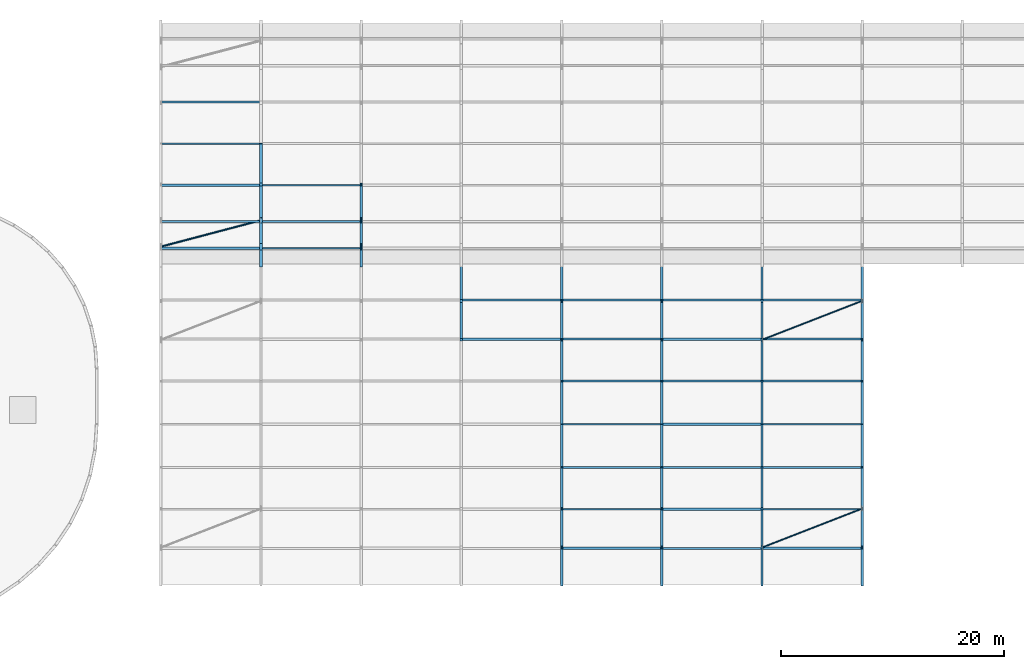
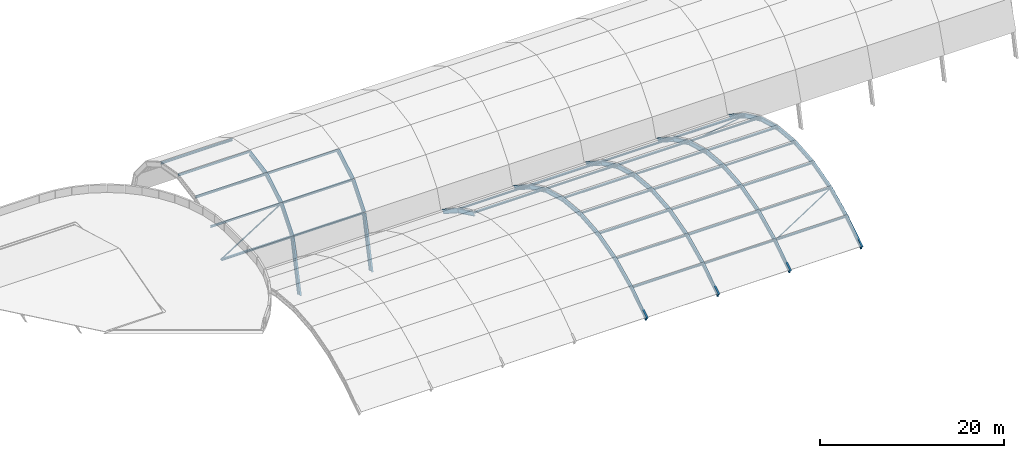
# One storey, part 4 of 15: 75 members.
"""IFC4 building model written with IfcOpenShell, lengths in metres."""

from ifc_helpers import new_model, si_unit, direction, frame, origin, origin_2d, place, context, subcontext, project, spatial, hollow_circle, i_section, extrude, material, material_profile, profile_set, type_object, element, save


model = new_model("IFC4")

# Units and contexts
model_context = context("Model", 3, precision=1e-05, world=origin(), true_north=direction((0.0, 1.0)))
body_context = subcontext(model_context, "Body", "Model", "MODEL_VIEW")
ifc_project = project(units=[si_unit("LENGTHUNIT", "METRE"), si_unit("AREAUNIT", "SQUARE_METRE"), si_unit("VOLUMEUNIT", "CUBIC_METRE"), si_unit("PLANEANGLEUNIT", "RADIAN"), si_unit("MASSUNIT", "GRAM", prefix="KILO")], contexts=[model_context])

# Site, building, storey
site_placement = place(None, origin())
site = spatial("IfcSite", under=ifc_project, at=site_placement, CompositionType="ELEMENT")
building_placement = place(site_placement, origin())
building = spatial("IfcBuilding", under=site, at=building_placement, Name="Cendralis Terraced Arcade", CompositionType="ELEMENT")
storey_placement = place(building_placement, frame((0.0, 0.0, 34.199951171875)))
storey = spatial("IfcBuildingStorey", under=building, at=storey_placement, Name="RF", CompositionType="ELEMENT", Elevation=34.199951171875)

# Members
ifc_material_1 = material(Name="Steel ASTM A992 Grade 50", Category="steel")
ifc_material_profile_1 = material_profile(ifc_material_1, i_section(OverallWidth=0.2099609375, OverallDepth=0.537109375, WebThickness=0.010986328125, FlangeThickness=0.017333984375, FilletRadius=0.012939453125, at=origin_2d()), Name="W530X101", Category="LoadBearing")
ifc_profile_set_1 = profile_set([ifc_material_profile_1], Name="Steel ASTM A992 Grade 50")
member_type_1 = type_object("IfcMemberType", Name="MEM-ARCH-W530", PredefinedType="RAFTER", material=ifc_profile_set_1)
member_1_placement = place(storey_placement, frame((94.199951171875, 31.584716796875, -10.673828125), z_axis=(0.0, 0.901136792694, -0.433534866941), x_axis=(-1.0, 0.0, 0.0)))
element("IfcMember", 1, at=member_1_placement, inside=storey, type_object=member_type_1, Name="Gourmet Food Hall Barrel Vault Arch Rib VA-FH-R04-S7", PredefinedType="RAFTER", context=body_context, shape_type="SweptSolid", body=[
    extrude(i_section(OverallWidth=0.2099609375, OverallDepth=0.537109375, WebThickness=0.010986328125, FlangeThickness=0.017333984375, FilletRadius=0.012939453125, at=origin_2d()), origin(), (0.0, 0.0, 1.0), 3.869873046875),
])
for number, where, z_axis, x_axis, name in (
    (2, (94.199951171875, 35.072021484375, -12.3515625), (0.0, 0.840133581177, -0.542379540339), (-1.0, 0.0, 0.0), "Gourmet Food Hall Barrel Vault Arch Rib VA-FH-R04-S8"),
    (3, (103.199951171875, 9.60009765625, -14.5), (0.0, 0.840133581177, 0.542379540339), (-1.0, 0.0, 0.0), "Gourmet Food Hall Barrel Vault Arch Rib VA-FH-R05-S1"),
):
    element("IfcMember", number, at=place(storey_placement, frame(where, z_axis=z_axis, x_axis=x_axis)), inside=storey, type_object=member_type_1, Name=name, PredefinedType="RAFTER", context=body_context, shape_type="SweptSolid", body=[
        extrude(i_section(OverallWidth=0.2099609375, OverallDepth=0.537109375, WebThickness=0.010986328125, FlangeThickness=0.017333984375, FilletRadius=0.012939453125, at=origin_2d()), origin(), (0.0, 0.0, 1.0), 3.961181640625),
    ])
member_2_placement = place(storey_placement, frame((103.199951171875, 12.927978515625, -12.3515625), z_axis=(0.0, 0.901136792694, 0.433534866941), x_axis=(-1.0, 0.0, 0.0)))
element("IfcMember", 4, at=member_2_placement, inside=storey, type_object=member_type_1, Name="Gourmet Food Hall Barrel Vault Arch Rib VA-FH-R05-S2", PredefinedType="RAFTER", context=body_context, shape_type="SweptSolid", body=[
    extrude(i_section(OverallWidth=0.2099609375, OverallDepth=0.537109375, WebThickness=0.010986328125, FlangeThickness=0.017333984375, FilletRadius=0.012939453125, at=origin_2d()), origin(), (0.0, 0.0, 1.0), 3.869873046875),
])
member_3_placement = place(storey_placement, frame((103.199951171875, 16.415283203125, -10.673828125), z_axis=(0.0, 0.964011577541, 0.265860260979), x_axis=(-1.0, 0.0, 0.0)))
element("IfcMember", 5, at=member_3_placement, inside=storey, type_object=member_type_1, Name="Gourmet Food Hall Barrel Vault Arch Rib VA-FH-R05-S3", PredefinedType="RAFTER", context=body_context, shape_type="SweptSolid", body=[
    extrude(i_section(OverallWidth=0.2099609375, OverallDepth=0.537109375, WebThickness=0.010986328125, FlangeThickness=0.017333984375, FilletRadius=0.012939453125, at=origin_2d()), origin(), (0.0, 0.0, 1.0), 3.86962890625),
])
for number, where, z_axis, x_axis, name in (
    (6, (103.199951171875, 20.145751953125, -9.64501953125), (0.0, 0.995979112338, 0.089585756605), (-1.0, 0.0, 0.0), "Gourmet Food Hall Barrel Vault Arch Rib VA-FH-R05-S4"),
    (7, (103.199951171875, 24.0, -9.29833984375), (0.0, 0.995979112338, -0.089585756605), (-1.0, 0.0, 0.0), "Gourmet Food Hall Barrel Vault Arch Rib VA-FH-R05-S5"),
):
    element("IfcMember", number, at=place(storey_placement, frame(where, z_axis=z_axis, x_axis=x_axis)), inside=storey, type_object=member_type_1, Name=name, PredefinedType="RAFTER", context=body_context, shape_type="SweptSolid", body=[
        extrude(i_section(OverallWidth=0.2099609375, OverallDepth=0.537109375, WebThickness=0.010986328125, FlangeThickness=0.017333984375, FilletRadius=0.012939453125, at=origin_2d()), origin(), (0.0, 0.0, 1.0), 3.869873046875),
    ])
member_4_placement = place(storey_placement, frame((103.199951171875, 27.854248046875, -9.64501953125), z_axis=(0.0, 0.964011577541, -0.265860260979), x_axis=(-1.0, 0.0, 0.0)))
element("IfcMember", 8, at=member_4_placement, inside=storey, type_object=member_type_1, Name="Gourmet Food Hall Barrel Vault Arch Rib VA-FH-R05-S6", PredefinedType="RAFTER", context=body_context, shape_type="SweptSolid", body=[
    extrude(i_section(OverallWidth=0.2099609375, OverallDepth=0.537109375, WebThickness=0.010986328125, FlangeThickness=0.017333984375, FilletRadius=0.012939453125, at=origin_2d()), origin(), (0.0, 0.0, 1.0), 3.86962890625),
])
member_5_placement = place(storey_placement, frame((103.199951171875, 31.584716796875, -10.673828125), z_axis=(0.0, 0.901136792694, -0.433534866941), x_axis=(-1.0, 0.0, 0.0)))
element("IfcMember", 9, at=member_5_placement, inside=storey, type_object=member_type_1, Name="Gourmet Food Hall Barrel Vault Arch Rib VA-FH-R05-S7", PredefinedType="RAFTER", context=body_context, shape_type="SweptSolid", body=[
    extrude(i_section(OverallWidth=0.2099609375, OverallDepth=0.537109375, WebThickness=0.010986328125, FlangeThickness=0.017333984375, FilletRadius=0.012939453125, at=origin_2d()), origin(), (0.0, 0.0, 1.0), 3.869873046875),
])
for number, where, z_axis, x_axis, name in (
    (10, (103.199951171875, 35.072021484375, -12.3515625), (0.0, 0.840133581177, -0.542379540339), (-1.0, 0.0, 0.0), "Gourmet Food Hall Barrel Vault Arch Rib VA-FH-R05-S8"),
    (11, (112.199951171875, 9.60009765625, -14.5), (0.0, 0.840133581177, 0.542379540339), (-1.0, 0.0, 0.0), "Gourmet Food Hall Barrel Vault Arch Rib VA-FH-R06-S1"),
):
    element("IfcMember", number, at=place(storey_placement, frame(where, z_axis=z_axis, x_axis=x_axis)), inside=storey, type_object=member_type_1, Name=name, PredefinedType="RAFTER", context=body_context, shape_type="SweptSolid", body=[
        extrude(i_section(OverallWidth=0.2099609375, OverallDepth=0.537109375, WebThickness=0.010986328125, FlangeThickness=0.017333984375, FilletRadius=0.012939453125, at=origin_2d()), origin(), (0.0, 0.0, 1.0), 3.961181640625),
    ])
member_6_placement = place(storey_placement, frame((112.199951171875, 12.927978515625, -12.3515625), z_axis=(0.0, 0.901136792694, 0.433534866941), x_axis=(-1.0, 0.0, 0.0)))
element("IfcMember", 12, at=member_6_placement, inside=storey, type_object=member_type_1, Name="Gourmet Food Hall Barrel Vault Arch Rib VA-FH-R06-S2", PredefinedType="RAFTER", context=body_context, shape_type="SweptSolid", body=[
    extrude(i_section(OverallWidth=0.2099609375, OverallDepth=0.537109375, WebThickness=0.010986328125, FlangeThickness=0.017333984375, FilletRadius=0.012939453125, at=origin_2d()), origin(), (0.0, 0.0, 1.0), 3.869873046875),
])
member_7_placement = place(storey_placement, frame((112.199951171875, 16.415283203125, -10.673828125), z_axis=(0.0, 0.964011577541, 0.265860260979), x_axis=(-1.0, 0.0, 0.0)))
element("IfcMember", 13, at=member_7_placement, inside=storey, type_object=member_type_1, Name="Gourmet Food Hall Barrel Vault Arch Rib VA-FH-R06-S3", PredefinedType="RAFTER", context=body_context, shape_type="SweptSolid", body=[
    extrude(i_section(OverallWidth=0.2099609375, OverallDepth=0.537109375, WebThickness=0.010986328125, FlangeThickness=0.017333984375, FilletRadius=0.012939453125, at=origin_2d()), origin(), (0.0, 0.0, 1.0), 3.86962890625),
])
for number, where, z_axis, x_axis, name in (
    (14, (112.199951171875, 20.145751953125, -9.64501953125), (0.0, 0.995979112338, 0.089585756605), (-1.0, 0.0, 0.0), "Gourmet Food Hall Barrel Vault Arch Rib VA-FH-R06-S4"),
    (15, (112.199951171875, 24.0, -9.29833984375), (0.0, 0.995979112338, -0.089585756605), (-1.0, 0.0, 0.0), "Gourmet Food Hall Barrel Vault Arch Rib VA-FH-R06-S5"),
):
    element("IfcMember", number, at=place(storey_placement, frame(where, z_axis=z_axis, x_axis=x_axis)), inside=storey, type_object=member_type_1, Name=name, PredefinedType="RAFTER", context=body_context, shape_type="SweptSolid", body=[
        extrude(i_section(OverallWidth=0.2099609375, OverallDepth=0.537109375, WebThickness=0.010986328125, FlangeThickness=0.017333984375, FilletRadius=0.012939453125, at=origin_2d()), origin(), (0.0, 0.0, 1.0), 3.869873046875),
    ])
member_8_placement = place(storey_placement, frame((112.199951171875, 27.854248046875, -9.64501953125), z_axis=(0.0, 0.964011577541, -0.265860260979), x_axis=(-1.0, 0.0, 0.0)))
element("IfcMember", 16, at=member_8_placement, inside=storey, type_object=member_type_1, Name="Gourmet Food Hall Barrel Vault Arch Rib VA-FH-R06-S6", PredefinedType="RAFTER", context=body_context, shape_type="SweptSolid", body=[
    extrude(i_section(OverallWidth=0.2099609375, OverallDepth=0.537109375, WebThickness=0.010986328125, FlangeThickness=0.017333984375, FilletRadius=0.012939453125, at=origin_2d()), origin(), (0.0, 0.0, 1.0), 3.86962890625),
])
member_9_placement = place(storey_placement, frame((112.199951171875, 31.584716796875, -10.673828125), z_axis=(0.0, 0.901136792694, -0.433534866941), x_axis=(-1.0, 0.0, 0.0)))
element("IfcMember", 17, at=member_9_placement, inside=storey, type_object=member_type_1, Name="Gourmet Food Hall Barrel Vault Arch Rib VA-FH-R06-S7", PredefinedType="RAFTER", context=body_context, shape_type="SweptSolid", body=[
    extrude(i_section(OverallWidth=0.2099609375, OverallDepth=0.537109375, WebThickness=0.010986328125, FlangeThickness=0.017333984375, FilletRadius=0.012939453125, at=origin_2d()), origin(), (0.0, 0.0, 1.0), 3.869873046875),
])
for number, where, z_axis, x_axis, name in (
    (18, (112.199951171875, 35.072021484375, -12.3515625), (0.0, 0.840133581177, -0.542379540339), (-1.0, 0.0, 0.0), "Gourmet Food Hall Barrel Vault Arch Rib VA-FH-R06-S8"),
    (19, (121.199951171875, 9.60009765625, -14.5), (0.0, 0.840133581177, 0.542379540339), (-1.0, 0.0, 0.0), "Gourmet Food Hall Barrel Vault Arch Rib VA-FH-R07-S1"),
):
    element("IfcMember", number, at=place(storey_placement, frame(where, z_axis=z_axis, x_axis=x_axis)), inside=storey, type_object=member_type_1, Name=name, PredefinedType="RAFTER", context=body_context, shape_type="SweptSolid", body=[
        extrude(i_section(OverallWidth=0.2099609375, OverallDepth=0.537109375, WebThickness=0.010986328125, FlangeThickness=0.017333984375, FilletRadius=0.012939453125, at=origin_2d()), origin(), (0.0, 0.0, 1.0), 3.961181640625),
    ])
member_10_placement = place(storey_placement, frame((121.199951171875, 12.927978515625, -12.3515625), z_axis=(0.0, 0.901136792694, 0.433534866941), x_axis=(-1.0, 0.0, 0.0)))
element("IfcMember", 20, at=member_10_placement, inside=storey, type_object=member_type_1, Name="Gourmet Food Hall Barrel Vault Arch Rib VA-FH-R07-S2", PredefinedType="RAFTER", context=body_context, shape_type="SweptSolid", body=[
    extrude(i_section(OverallWidth=0.2099609375, OverallDepth=0.537109375, WebThickness=0.010986328125, FlangeThickness=0.017333984375, FilletRadius=0.012939453125, at=origin_2d()), origin(), (0.0, 0.0, 1.0), 3.869873046875),
])
member_11_placement = place(storey_placement, frame((121.199951171875, 16.415283203125, -10.673828125), z_axis=(0.0, 0.964011577541, 0.265860260979), x_axis=(-1.0, 0.0, 0.0)))
element("IfcMember", 21, at=member_11_placement, inside=storey, type_object=member_type_1, Name="Gourmet Food Hall Barrel Vault Arch Rib VA-FH-R07-S3", PredefinedType="RAFTER", context=body_context, shape_type="SweptSolid", body=[
    extrude(i_section(OverallWidth=0.2099609375, OverallDepth=0.537109375, WebThickness=0.010986328125, FlangeThickness=0.017333984375, FilletRadius=0.012939453125, at=origin_2d()), origin(), (0.0, 0.0, 1.0), 3.86962890625),
])
for number, where, z_axis, x_axis, name in (
    (22, (121.199951171875, 20.145751953125, -9.64501953125), (0.0, 0.995979112338, 0.089585756605), (-1.0, 0.0, 0.0), "Gourmet Food Hall Barrel Vault Arch Rib VA-FH-R07-S4"),
    (23, (121.199951171875, 24.0, -9.29833984375), (0.0, 0.995979112338, -0.089585756605), (-1.0, 0.0, 0.0), "Gourmet Food Hall Barrel Vault Arch Rib VA-FH-R07-S5"),
):
    element("IfcMember", number, at=place(storey_placement, frame(where, z_axis=z_axis, x_axis=x_axis)), inside=storey, type_object=member_type_1, Name=name, PredefinedType="RAFTER", context=body_context, shape_type="SweptSolid", body=[
        extrude(i_section(OverallWidth=0.2099609375, OverallDepth=0.537109375, WebThickness=0.010986328125, FlangeThickness=0.017333984375, FilletRadius=0.012939453125, at=origin_2d()), origin(), (0.0, 0.0, 1.0), 3.869873046875),
    ])
member_12_placement = place(storey_placement, frame((121.199951171875, 27.854248046875, -9.64501953125), z_axis=(0.0, 0.964011577541, -0.265860260979), x_axis=(-1.0, 0.0, 0.0)))
element("IfcMember", 24, at=member_12_placement, inside=storey, type_object=member_type_1, Name="Gourmet Food Hall Barrel Vault Arch Rib VA-FH-R07-S6", PredefinedType="RAFTER", context=body_context, shape_type="SweptSolid", body=[
    extrude(i_section(OverallWidth=0.2099609375, OverallDepth=0.537109375, WebThickness=0.010986328125, FlangeThickness=0.017333984375, FilletRadius=0.012939453125, at=origin_2d()), origin(), (0.0, 0.0, 1.0), 3.86962890625),
])
member_13_placement = place(storey_placement, frame((121.199951171875, 31.584716796875, -10.673828125), z_axis=(0.0, 0.901136792694, -0.433534866941), x_axis=(-1.0, 0.0, 0.0)))
element("IfcMember", 25, at=member_13_placement, inside=storey, type_object=member_type_1, Name="Gourmet Food Hall Barrel Vault Arch Rib VA-FH-R07-S7", PredefinedType="RAFTER", context=body_context, shape_type="SweptSolid", body=[
    extrude(i_section(OverallWidth=0.2099609375, OverallDepth=0.537109375, WebThickness=0.010986328125, FlangeThickness=0.017333984375, FilletRadius=0.012939453125, at=origin_2d()), origin(), (0.0, 0.0, 1.0), 3.869873046875),
])
for number, where, z_axis, x_axis, name in (
    (26, (121.199951171875, 35.072021484375, -12.3515625), (0.0, 0.840133581177, -0.542379540339), (-1.0, 0.0, 0.0), "Gourmet Food Hall Barrel Vault Arch Rib VA-FH-R07-S8"),
    (27, (130.199951171875, 9.60009765625, -14.5), (0.0, 0.840133581177, 0.542379540339), (-1.0, 0.0, 0.0), "Gourmet Food Hall Barrel Vault Arch Rib VA-FH-R08-S1"),
):
    element("IfcMember", number, at=place(storey_placement, frame(where, z_axis=z_axis, x_axis=x_axis)), inside=storey, type_object=member_type_1, Name=name, PredefinedType="RAFTER", context=body_context, shape_type="SweptSolid", body=[
        extrude(i_section(OverallWidth=0.2099609375, OverallDepth=0.537109375, WebThickness=0.010986328125, FlangeThickness=0.017333984375, FilletRadius=0.012939453125, at=origin_2d()), origin(), (0.0, 0.0, 1.0), 3.961181640625),
    ])
member_14_placement = place(storey_placement, frame((130.199951171875, 12.927978515625, -12.3515625), z_axis=(0.0, 0.901136792694, 0.433534866941), x_axis=(-1.0, 0.0, 0.0)))
element("IfcMember", 28, at=member_14_placement, inside=storey, type_object=member_type_1, Name="Gourmet Food Hall Barrel Vault Arch Rib VA-FH-R08-S2", PredefinedType="RAFTER", context=body_context, shape_type="SweptSolid", body=[
    extrude(i_section(OverallWidth=0.2099609375, OverallDepth=0.537109375, WebThickness=0.010986328125, FlangeThickness=0.017333984375, FilletRadius=0.012939453125, at=origin_2d()), origin(), (0.0, 0.0, 1.0), 3.869873046875),
])
member_15_placement = place(storey_placement, frame((130.199951171875, 16.415283203125, -10.673828125), z_axis=(0.0, 0.964011577541, 0.265860260979), x_axis=(-1.0, 0.0, 0.0)))
element("IfcMember", 29, at=member_15_placement, inside=storey, type_object=member_type_1, Name="Gourmet Food Hall Barrel Vault Arch Rib VA-FH-R08-S3", PredefinedType="RAFTER", context=body_context, shape_type="SweptSolid", body=[
    extrude(i_section(OverallWidth=0.2099609375, OverallDepth=0.537109375, WebThickness=0.010986328125, FlangeThickness=0.017333984375, FilletRadius=0.012939453125, at=origin_2d()), origin(), (0.0, 0.0, 1.0), 3.86962890625),
])
for number, where, z_axis, x_axis, name in (
    (30, (130.199951171875, 20.145751953125, -9.64501953125), (0.0, 0.995979112338, 0.089585756605), (-1.0, 0.0, 0.0), "Gourmet Food Hall Barrel Vault Arch Rib VA-FH-R08-S4"),
    (31, (130.199951171875, 24.0, -9.29833984375), (0.0, 0.995979112338, -0.089585756605), (-1.0, 0.0, 0.0), "Gourmet Food Hall Barrel Vault Arch Rib VA-FH-R08-S5"),
):
    element("IfcMember", number, at=place(storey_placement, frame(where, z_axis=z_axis, x_axis=x_axis)), inside=storey, type_object=member_type_1, Name=name, PredefinedType="RAFTER", context=body_context, shape_type="SweptSolid", body=[
        extrude(i_section(OverallWidth=0.2099609375, OverallDepth=0.537109375, WebThickness=0.010986328125, FlangeThickness=0.017333984375, FilletRadius=0.012939453125, at=origin_2d()), origin(), (0.0, 0.0, 1.0), 3.869873046875),
    ])
member_16_placement = place(storey_placement, frame((130.199951171875, 27.854248046875, -9.64501953125), z_axis=(0.0, 0.964011577541, -0.265860260979), x_axis=(-1.0, 0.0, 0.0)))
element("IfcMember", 32, at=member_16_placement, inside=storey, type_object=member_type_1, Name="Gourmet Food Hall Barrel Vault Arch Rib VA-FH-R08-S6", PredefinedType="RAFTER", context=body_context, shape_type="SweptSolid", body=[
    extrude(i_section(OverallWidth=0.2099609375, OverallDepth=0.537109375, WebThickness=0.010986328125, FlangeThickness=0.017333984375, FilletRadius=0.012939453125, at=origin_2d()), origin(), (0.0, 0.0, 1.0), 3.86962890625),
])
member_17_placement = place(storey_placement, frame((130.199951171875, 31.584716796875, -10.673828125), z_axis=(0.0, 0.901136792694, -0.433534866941), x_axis=(-1.0, 0.0, 0.0)))
element("IfcMember", 33, at=member_17_placement, inside=storey, type_object=member_type_1, Name="Gourmet Food Hall Barrel Vault Arch Rib VA-FH-R08-S7", PredefinedType="RAFTER", context=body_context, shape_type="SweptSolid", body=[
    extrude(i_section(OverallWidth=0.2099609375, OverallDepth=0.537109375, WebThickness=0.010986328125, FlangeThickness=0.017333984375, FilletRadius=0.012939453125, at=origin_2d()), origin(), (0.0, 0.0, 1.0), 3.869873046875),
])
member_18_placement = place(storey_placement, frame((130.199951171875, 35.072021484375, -12.3515625), z_axis=(0.0, 0.840133581177, -0.542379540339), x_axis=(-1.0, 0.0, 0.0)))
element("IfcMember", 34, at=member_18_placement, inside=storey, type_object=member_type_1, Name="Gourmet Food Hall Barrel Vault Arch Rib VA-FH-R08-S8", PredefinedType="RAFTER", context=body_context, shape_type="SweptSolid", body=[
    extrude(i_section(OverallWidth=0.2099609375, OverallDepth=0.537109375, WebThickness=0.010986328125, FlangeThickness=0.017333984375, FilletRadius=0.012939453125, at=origin_2d()), origin(), (0.0, 0.0, 1.0), 3.961181640625),
])
ifc_material_profile_2 = material_profile(ifc_material_1, i_section(OverallWidth=0.22900390625, OverallDepth=0.612060546875, WebThickness=0.011962890625, FlangeThickness=0.01953125, FilletRadius=0.012939453125, at=origin_2d()), Name="W610X125", Category="LoadBearing")
ifc_profile_set_2 = profile_set([ifc_material_profile_2], Name="Steel ASTM A992 Grade 50")
member_type_2 = type_object("IfcMemberType", Name="MEM-ARCH-W610", PredefinedType="RAFTER", material=ifc_profile_set_2)
member_19_placement = place(storey_placement, frame((76.199951171875, 38.39990234375, -19.300048828125), z_axis=(0.0, 0.217739450322, 0.976006932236), x_axis=(-1.0, 0.0, 0.0)))
element("IfcMember", 35, at=member_19_placement, inside=storey, type_object=member_type_2, Name="Shopping Arcade Barrel Vault Arch Rib VA-ARC-R02-S1", PredefinedType="RAFTER", context=body_context, shape_type="SweptSolid", body=[
    extrude(i_section(OverallWidth=0.22900390625, OverallDepth=0.612060546875, WebThickness=0.011962890625, FlangeThickness=0.01953125, FilletRadius=0.012939453125, at=origin_2d()), origin(), (0.0, 0.0, 1.0), 7.093017578125),
])
member_20_placement = place(storey_placement, frame((76.199951171875, 39.9443359375, -12.377197265625), z_axis=(0.0, 0.632692786232, 0.774402891427), x_axis=(-1.0, 0.0, 0.0)))
element("IfcMember", 36, at=member_20_placement, inside=storey, type_object=member_type_2, Name="Shopping Arcade Barrel Vault Arch Rib VA-ARC-R02-S2", PredefinedType="RAFTER", context=body_context, shape_type="SweptSolid", body=[
    extrude(i_section(OverallWidth=0.22900390625, OverallDepth=0.612060546875, WebThickness=0.011962890625, FlangeThickness=0.01953125, FilletRadius=0.012939453125, at=origin_2d()), origin(), (0.0, 0.0, 1.0), 3.7333984375),
])
member_21_placement = place(storey_placement, frame((76.199951171875, 42.306396484375, -9.486083984375), z_axis=(0.0, 0.862040098356, 0.506840082103), x_axis=(-1.0, 0.0, 0.0)))
element("IfcMember", 37, at=member_21_placement, inside=storey, type_object=member_type_2, Name="Shopping Arcade Barrel Vault Arch Rib VA-ARC-R02-S3", PredefinedType="RAFTER", context=body_context, shape_type="SweptSolid", body=[
    extrude(i_section(OverallWidth=0.22900390625, OverallDepth=0.612060546875, WebThickness=0.011962890625, FlangeThickness=0.01953125, FilletRadius=0.012939453125, at=origin_2d()), origin(), (0.0, 0.0, 1.0), 3.733642578125),
])
member_22_placement = place(storey_placement, frame((76.199951171875, 45.52490234375, -7.59375), z_axis=(0.0, 0.984360008375, 0.176168595135), x_axis=(-1.0, 0.0, 0.0)))
element("IfcMember", 38, at=member_22_placement, inside=storey, type_object=member_type_2, Name="Shopping Arcade Barrel Vault Arch Rib VA-ARC-R02-S4", PredefinedType="RAFTER", context=body_context, shape_type="SweptSolid", body=[
    extrude(i_section(OverallWidth=0.22900390625, OverallDepth=0.612060546875, WebThickness=0.011962890625, FlangeThickness=0.01953125, FilletRadius=0.012939453125, at=origin_2d()), origin(), (0.0, 0.0, 1.0), 3.7333984375),
])
member_23_placement = place(storey_placement, frame((85.199951171875, 38.39990234375, -19.300048828125), z_axis=(0.0, 0.217739450322, 0.976006932236), x_axis=(-1.0, 0.0, 0.0)))
element("IfcMember", 39, at=member_23_placement, inside=storey, type_object=member_type_2, Name="Shopping Arcade Barrel Vault Arch Rib VA-ARC-R03-S1", PredefinedType="RAFTER", context=body_context, shape_type="SweptSolid", body=[
    extrude(i_section(OverallWidth=0.22900390625, OverallDepth=0.612060546875, WebThickness=0.011962890625, FlangeThickness=0.01953125, FilletRadius=0.012939453125, at=origin_2d()), origin(), (0.0, 0.0, 1.0), 7.093017578125),
])
member_24_placement = place(storey_placement, frame((85.199951171875, 39.9443359375, -12.377197265625), z_axis=(0.0, 0.632692786232, 0.774402891427), x_axis=(-1.0, 0.0, 0.0)))
element("IfcMember", 40, at=member_24_placement, inside=storey, type_object=member_type_2, Name="Shopping Arcade Barrel Vault Arch Rib VA-ARC-R03-S2", PredefinedType="RAFTER", context=body_context, shape_type="SweptSolid", body=[
    extrude(i_section(OverallWidth=0.22900390625, OverallDepth=0.612060546875, WebThickness=0.011962890625, FlangeThickness=0.01953125, FilletRadius=0.012939453125, at=origin_2d()), origin(), (0.0, 0.0, 1.0), 3.7333984375),
])
member_25_placement = place(storey_placement, frame((85.199951171875, 42.306396484375, -9.486083984375), z_axis=(0.0, 0.862040098356, 0.506840082103), x_axis=(-1.0, 0.0, 0.0)))
element("IfcMember", 41, at=member_25_placement, inside=storey, type_object=member_type_2, Name="Shopping Arcade Barrel Vault Arch Rib VA-ARC-R03-S3", PredefinedType="RAFTER", context=body_context, shape_type="SweptSolid", body=[
    extrude(i_section(OverallWidth=0.22900390625, OverallDepth=0.612060546875, WebThickness=0.011962890625, FlangeThickness=0.01953125, FilletRadius=0.012939453125, at=origin_2d()), origin(), (0.0, 0.0, 1.0), 3.733642578125),
])
ifc_material_2 = material(Name="Steel ASTM A572 Grade 50", Category="steel")
ifc_material_profile_3 = material_profile(ifc_material_2, hollow_circle(Radius=0.06982421875, WallThickness=0.00634765625, at=origin_2d()), Name="CHS139X6.3", Category="LoadBearing")
ifc_profile_set_3 = profile_set([ifc_material_profile_3], Name="Steel ASTM A572 Grade 50")
member_type_3 = type_object("IfcMemberType", Name="MEM-BRC-CHS139", PredefinedType="BRACE", material=ifc_profile_set_3)
for number, where, z_axis, x_axis, name in (
    (42, (121.215087890625, 12.927978515625, -12.3515625), (0.918192754389, 0.356970831052, 0.171737857112), (-0.362354445443, 0.932040372445, 0.0), "Gourmet Food Hall Barrel Vault Wind Brace B07-K2"),
    (43, (121.215087890625, 31.584716796875, -10.673828125), (0.918192754389, 0.356970831052, -0.171737857112), (-0.362354445443, 0.932040372445, 0.0), "Gourmet Food Hall Barrel Vault Wind Brace B07-K7"),
):
    element("IfcMember", number, at=place(storey_placement, frame(where, z_axis=z_axis, x_axis=x_axis)), inside=storey, type_object=member_type_3, Name=name, PredefinedType="BRACE", context=body_context, shape_type="SweptSolid", body=[
        extrude(hollow_circle(Radius=0.06982421875, WallThickness=0.00634765625, at=origin_2d()), origin(), (0.0, 0.0, 1.0), 9.76904296875),
    ])
ifc_material_profile_4 = material_profile(ifc_material_2, hollow_circle(Radius=0.083984375, WallThickness=0.008056640625, at=origin_2d()), Name="CHS168X8", Category="LoadBearing")
ifc_profile_set_4 = profile_set([ifc_material_profile_4], Name="Steel ASTM A572 Grade 50")
member_type_4 = type_object("IfcMemberType", Name="MEM-BRC-CHS168", PredefinedType="BRACE", material=ifc_profile_set_4)
member_26_placement = place(storey_placement, frame((67.215087890625, 39.9443359375, -12.377197265625), z_axis=(0.923228228541, 0.243113500208, 0.297565898652), x_axis=(-0.254648762963, 0.967033612405, 0.0)))
element("IfcMember", 44, at=member_26_placement, inside=storey, type_object=member_type_4, Name="Shopping Arcade Barrel Vault Wind Brace B01-K2", PredefinedType="BRACE", context=body_context, shape_type="SweptSolid", body=[
    extrude(hollow_circle(Radius=0.083984375, WallThickness=0.008056640625, at=origin_2d()), origin(), (0.0, 0.0, 1.0), 9.7158203125),
])
ifc_material_profile_5 = material_profile(ifc_material_1, i_section(OverallWidth=0.202880859375, OverallDepth=0.202880859375, WebThickness=0.007080078125, FlangeThickness=0.010986328125, at=origin_2d()), Name="W200X46.1", Category="LoadBearing")
ifc_profile_set_5 = profile_set([ifc_material_profile_5], Name="Steel ASTM A992 Grade 50")
member_type_5 = type_object("IfcMemberType", Name="MEM-PUR-HSS150", PredefinedType="PURLIN", material=ifc_profile_set_5)
for number, where, z_axis, x_axis, name in (
    (45, (94.2119140625, 31.63818359375, -10.531494140625), (1.0, 0.0, 0.0), (0.0, 1.0, 0.0), "Gourmet Food Hall Barrel Vault Purlin B04-K6"),
    (46, (103.2119140625, 12.85009765625, -12.22119140625), (1.0, 0.0, 0.0), (0.0, 1.0, 0.0), "Gourmet Food Hall Barrel Vault Purlin B05-K1"),
    (47, (103.2119140625, 20.11865234375, -9.495361328125), (1.0, 0.0, 0.0), (0.0, 1.0, 0.0), "Gourmet Food Hall Barrel Vault Purlin B05-K3"),
    (48, (103.2119140625, 27.88134765625, -9.495361328125), (1.0, 0.0, 0.0), (0.0, 1.0, 0.0), "Gourmet Food Hall Barrel Vault Purlin B05-K5"),
    (49, (103.2119140625, 35.14990234375, -12.22119140625), (1.0, 0.0, 0.0), (0.0, 1.0, 0.0), "Gourmet Food Hall Barrel Vault Purlin B05-K7"),
    (50, (112.2119140625, 16.36181640625, -10.531494140625), (1.0, 0.0, 0.0), (0.0, 1.0, 0.0), "Gourmet Food Hall Barrel Vault Purlin B06-K2"),
    (51, (112.2119140625, 24.0, -9.146484375), (1.0, 0.0, 0.0), (0.0, 1.0, 0.0), "Gourmet Food Hall Barrel Vault Purlin B06-K4"),
    (52, (112.2119140625, 31.63818359375, -10.531494140625), (1.0, 0.0, 0.0), (0.0, 1.0, 0.0), "Gourmet Food Hall Barrel Vault Purlin B06-K6"),
    (53, (121.2119140625, 12.85009765625, -12.22119140625), (1.0, 0.0, 0.0), (0.0, 1.0, 0.0), "Gourmet Food Hall Barrel Vault Purlin B07-K1"),
    (54, (121.2119140625, 20.11865234375, -9.495361328125), (1.0, 0.0, 0.0), (0.0, 1.0, 0.0), "Gourmet Food Hall Barrel Vault Purlin B07-K3"),
    (55, (121.2119140625, 27.88134765625, -9.495361328125), (1.0, 0.0, 0.0), (0.0, 1.0, 0.0), "Gourmet Food Hall Barrel Vault Purlin B07-K5"),
    (56, (121.2119140625, 35.14990234375, -12.22119140625), (1.0, 0.0, 0.0), (0.0, 1.0, 0.0), "Gourmet Food Hall Barrel Vault Purlin B07-K7"),
):
    element("IfcMember", number, at=place(storey_placement, frame(where, z_axis=z_axis, x_axis=x_axis)), inside=storey, type_object=member_type_5, Name=name, PredefinedType="PURLIN", context=body_context, shape_type="SweptSolid", body=[
        extrude(i_section(OverallWidth=0.202880859375, OverallDepth=0.202880859375, WebThickness=0.007080078125, FlangeThickness=0.010986328125, at=origin_2d()), origin(), (0.0, 0.0, 1.0), 8.97607421875),
    ])
ifc_material_profile_6 = material_profile(ifc_material_1, i_section(OverallWidth=0.202880859375, OverallDepth=0.251953125, WebThickness=0.008056640625, FlangeThickness=0.013427734375, at=origin_2d()), Name="W250X58", Category="LoadBearing")
ifc_profile_set_6 = profile_set([ifc_material_profile_6], Name="Steel ASTM A992 Grade 50")
member_type_6 = type_object("IfcMemberType", Name="MEM-PUR-HSS180", PredefinedType="PURLIN", material=ifc_profile_set_6)
for number, where, z_axis, x_axis, name in (
    (57, (67.2119140625, 39.800048828125, -12.297119140625), (1.0, 0.0, 0.0), (0.0, 1.0, 0.0), "Shopping Arcade Barrel Vault Purlin B01-K1"),
    (58, (67.2119140625, 45.4677734375, -7.439208984375), (1.0, 0.0, 0.0), (0.0, 1.0, 0.0), "Shopping Arcade Barrel Vault Purlin B01-K3"),
    (59, (67.2119140625, 52.932373046875, -7.439208984375), (1.0, 0.0, 0.0), (0.0, 1.0, 0.0), "Shopping Arcade Barrel Vault Purlin B01-K5"),
    (60, (76.2119140625, 42.19921875, -9.36083984375), (1.0, 0.0, 0.0), (0.0, 1.0, 0.0), "Shopping Arcade Barrel Vault Purlin B02-K2"),
):
    element("IfcMember", number, at=place(storey_placement, frame(where, z_axis=z_axis, x_axis=x_axis)), inside=storey, type_object=member_type_6, Name=name, PredefinedType="PURLIN", context=body_context, shape_type="SweptSolid", body=[
        extrude(i_section(OverallWidth=0.202880859375, OverallDepth=0.251953125, WebThickness=0.008056640625, FlangeThickness=0.013427734375, at=origin_2d()), origin(), (0.0, 0.0, 1.0), 8.97607421875),
    ])
ifc_material_profile_7 = material_profile(ifc_material_1, i_section(OverallWidth=0.1650390625, OverallDepth=0.200927734375, WebThickness=0.006103515625, FlangeThickness=0.01025390625, FilletRadius=0.010009765625, at=origin_2d()), Name="W200X35.9", Category="LoadBearing")
ifc_profile_set_7 = profile_set([ifc_material_profile_7], Name="Steel ASTM A992 Grade 50")
member_type_7 = type_object("IfcMemberType", Name="MEM-PUR-W200", PredefinedType="PURLIN", material=ifc_profile_set_7)
for number, where, z_axis, x_axis, name in (
    (61, (94.2119140625, 35.150390625, -12.22021484375), (1.0, 0.0, 0.0), (0.0, 1.0, 0.0), "Gourmet Food Hall Barrel Vault Purlin B04-K7"),
    (62, (103.2119140625, 16.361572265625, -10.530517578125), (1.0, 0.0, 0.0), (0.0, 1.0, 0.0), "Gourmet Food Hall Barrel Vault Purlin B05-K2"),
    (63, (103.2119140625, 24.0, -9.1455078125), (1.0, 0.0, 0.0), (0.0, 1.0, 0.0), "Gourmet Food Hall Barrel Vault Purlin B05-K4"),
    (64, (103.2119140625, 31.638427734375, -10.530517578125), (1.0, 0.0, 0.0), (0.0, 1.0, 0.0), "Gourmet Food Hall Barrel Vault Purlin B05-K6"),
    (65, (112.2119140625, 12.849609375, -12.22021484375), (1.0, 0.0, 0.0), (0.0, 1.0, 0.0), "Gourmet Food Hall Barrel Vault Purlin B06-K1"),
    (66, (112.2119140625, 20.118408203125, -9.49462890625), (1.0, 0.0, 0.0), (0.0, 1.0, 0.0), "Gourmet Food Hall Barrel Vault Purlin B06-K3"),
    (67, (112.2119140625, 27.881591796875, -9.49462890625), (1.0, 0.0, 0.0), (0.0, 1.0, 0.0), "Gourmet Food Hall Barrel Vault Purlin B06-K5"),
    (68, (112.2119140625, 35.150390625, -12.22021484375), (1.0, 0.0, 0.0), (0.0, 1.0, 0.0), "Gourmet Food Hall Barrel Vault Purlin B06-K7"),
    (69, (121.2119140625, 16.361572265625, -10.530517578125), (1.0, 0.0, 0.0), (0.0, 1.0, 0.0), "Gourmet Food Hall Barrel Vault Purlin B07-K2"),
    (70, (121.2119140625, 24.0, -9.1455078125), (1.0, 0.0, 0.0), (0.0, 1.0, 0.0), "Gourmet Food Hall Barrel Vault Purlin B07-K4"),
    (71, (121.2119140625, 31.638427734375, -10.530517578125), (1.0, 0.0, 0.0), (0.0, 1.0, 0.0), "Gourmet Food Hall Barrel Vault Purlin B07-K6"),
):
    element("IfcMember", number, at=place(storey_placement, frame(where, z_axis=z_axis, x_axis=x_axis)), inside=storey, type_object=member_type_7, Name=name, PredefinedType="PURLIN", context=body_context, shape_type="SweptSolid", body=[
        extrude(i_section(OverallWidth=0.1650390625, OverallDepth=0.200927734375, WebThickness=0.006103515625, FlangeThickness=0.01025390625, FilletRadius=0.010009765625, at=origin_2d()), origin(), (0.0, 0.0, 1.0), 8.97607421875),
    ])
ifc_material_profile_8 = material_profile(ifc_material_1, i_section(OverallWidth=0.14697265625, OverallDepth=0.261962890625, WebThickness=0.006591796875, FlangeThickness=0.01123046875, FilletRadius=0.010009765625, at=origin_2d()), Name="W250X38.5", Category="LoadBearing")
ifc_profile_set_8 = profile_set([ifc_material_profile_8], Name="Steel ASTM A992 Grade 50")
member_type_8 = type_object("IfcMemberType", Name="MEM-PUR-W250", PredefinedType="PURLIN", material=ifc_profile_set_8)
for number, where, z_axis, x_axis, name in (
    (72, (67.2119140625, 42.202392578125, -9.364501953125), (1.0, 0.0, 0.0), (0.0, 1.0, 0.0), "Shopping Arcade Barrel Vault Purlin B01-K2"),
    (73, (67.2119140625, 49.199951171875, -6.77587890625), (1.0, 0.0, 0.0), (0.0, 1.0, 0.0), "Shopping Arcade Barrel Vault Purlin B01-K4"),
    (74, (76.2119140625, 39.804443359375, -12.299560546875), (1.0, 0.0, 0.0), (0.0, 1.0, 0.0), "Shopping Arcade Barrel Vault Purlin B02-K1"),
    (75, (76.2119140625, 45.469482421875, -7.44384765625), (1.0, 0.0, 0.0), (0.0, 1.0, 0.0), "Shopping Arcade Barrel Vault Purlin B02-K3"),
):
    element("IfcMember", number, at=place(storey_placement, frame(where, z_axis=z_axis, x_axis=x_axis)), inside=storey, type_object=member_type_8, Name=name, PredefinedType="PURLIN", context=body_context, shape_type="SweptSolid", body=[
        extrude(i_section(OverallWidth=0.14697265625, OverallDepth=0.261962890625, WebThickness=0.006591796875, FlangeThickness=0.01123046875, FilletRadius=0.010009765625, at=origin_2d()), origin(), (0.0, 0.0, 1.0), 8.97607421875),
    ])

save(model, "model.ifc")
